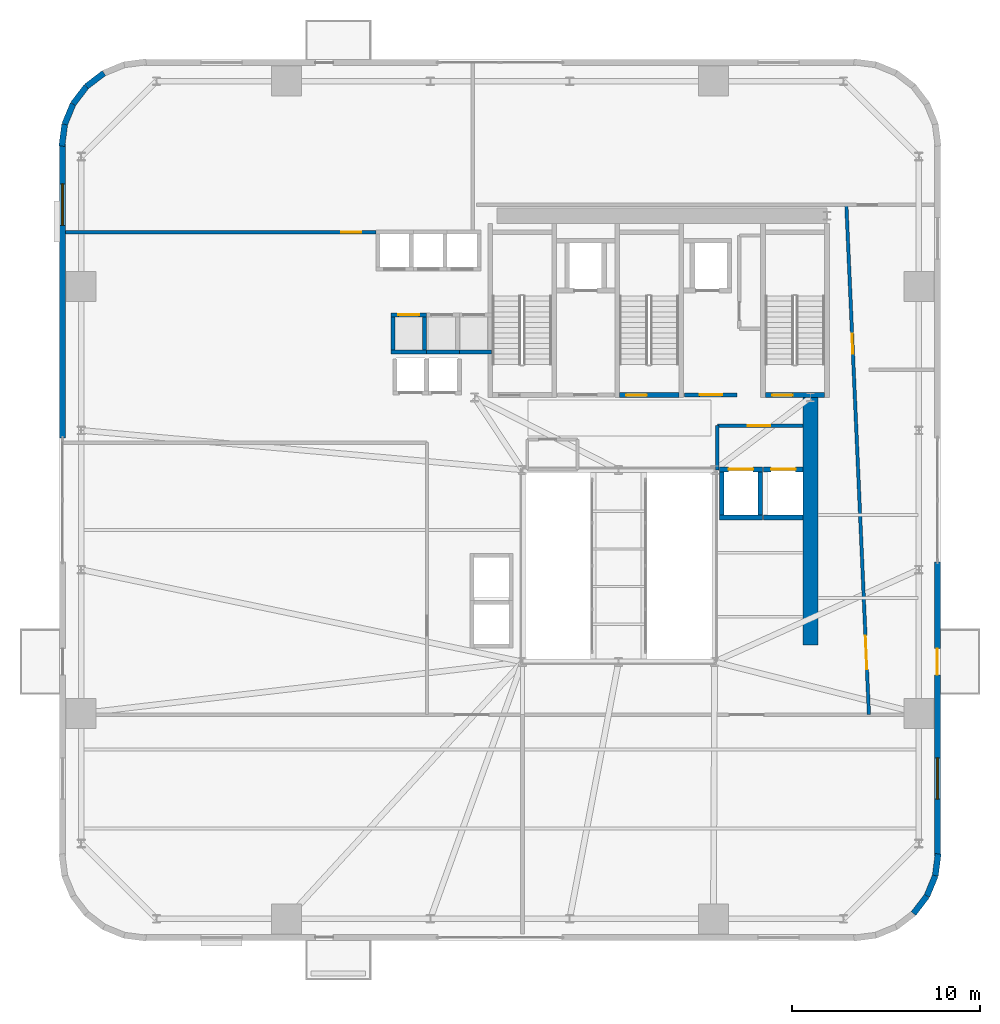
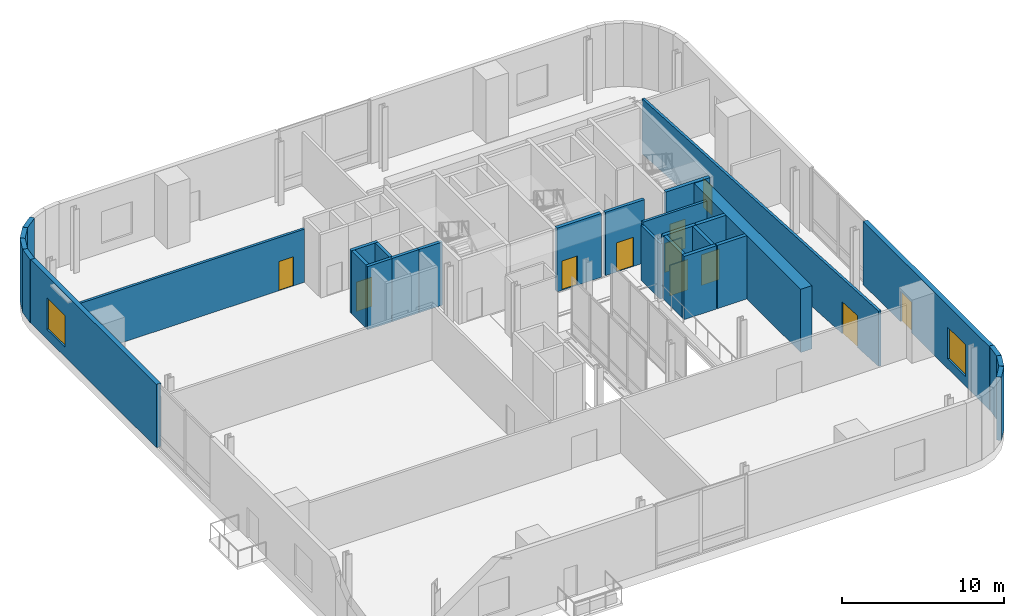
# One storey, part 8 of 13: 29 walls, 11 doors, 2 windows, 13 openings.
"""IFC4 building model written with IfcOpenShell, lengths in metres."""

from ifc_helpers import new_model, si_unit, direction, frame, frame_2d, origin, place, context, subcontext, project, spatial, rectangle, extrude, source, transform, mapped, material, layer, layer_set, type_object, element, fill, save


model = new_model("IFC4")

# Units and contexts
model_context = context("Model", 3, precision=1e-05, world=origin(), true_north=direction((0.0, 1.0)))
body_context = subcontext(model_context, "Body", "Model", "MODEL_VIEW")
ifc_project = project(units=[si_unit("LENGTHUNIT", "METRE"), si_unit("AREAUNIT", "SQUARE_METRE"), si_unit("VOLUMEUNIT", "CUBIC_METRE"), si_unit("PLANEANGLEUNIT", "RADIAN"), si_unit("MASSUNIT", "GRAM", prefix="KILO")], contexts=[model_context])

# Site, building, storey
site_placement = place(None, origin())
site = spatial("IfcSite", under=ifc_project, at=site_placement, CompositionType="ELEMENT")
building_placement = place(site_placement, origin())
building = spatial("IfcBuilding", under=site, at=building_placement, Name="Vardaveli Station Tower", CompositionType="ELEMENT")
storey_placement = place(building_placement, frame((0.0, 0.0, 98.699951171875)))
storey = spatial("IfcBuildingStorey", under=building, at=storey_placement, Name="L25", CompositionType="ELEMENT", Elevation=98.699951171875)

# Wall
ifc_material_1 = material(Name="Concrete C50/60", Category="concrete")
ifc_layer_1 = layer(ifc_material_1, 0.800048828125, Name="Concrete C50/60")
ifc_layer_set_1 = layer_set([ifc_layer_1], Name="Concrete C50/60")
wall_type_1 = type_object("IfcWallType", Name="WAL-CORE-800", PredefinedType="SHEAR", material=ifc_layer_set_1)
shared_shape_1 = source(origin(), body_context, "Body", "SweptSolid", [
    extrude(rectangle(XDim=13.14990234375, YDim=0.800048828125, at=frame_2d((6.574951171875, 0.0))), origin(), (0.0, 0.0, 1.0), 4.760009765625),
])
wall_1_placement = place(storey_placement, frame((46.5, 17.5, 0.0), z_axis=(0.0, 0.0, 1.0), x_axis=(0.0, 1.0, 0.0)))
element("IfcWall", 1, at=wall_1_placement, inside=storey, type_object=wall_type_1, Name="SW-L25-EAST2", PredefinedType="SHEAR", context=body_context, shape_type="MappedRepresentation", body=[
    mapped(shared_shape_1, transform((0.0, 0.0, 0.0), scale=1.0)),
])

# Wall, openings, door, window
ifc_material_2 = material(Name="Precast concrete C45/55", Category="concrete")
ifc_layer_2 = layer(ifc_material_2, 0.320068359375, Name="Precast concrete C45/55")
ifc_layer_set_2 = layer_set([ifc_layer_2], Name="Precast concrete C45/55")
wall_type_2 = type_object("IfcWallType", Name="WAL-EXT-STONE-320", PredefinedType="SOLIDWALL", material=ifc_layer_set_2)
shared_shape_2 = source(origin(), body_context, "Body", "SweptSolid", [
    extrude(rectangle(XDim=15.599853515625, YDim=0.320068359375, at=frame_2d((7.7998046875, 0.0))), origin(), (0.0, 0.0, 1.0), 4.760009765625),
])
wall_2_placement = place(storey_placement, frame((53.239990234375, 6.300048828125, 0.0), z_axis=(0.0, 0.0, 1.0), x_axis=(0.0, 1.0, 0.0)))
wall_2 = element("IfcWall", 2, at=wall_2_placement, inside=storey, type_object=wall_type_2, Name="EW-L25-E1", PredefinedType="SOLIDWALL", context=body_context, shape_type="MappedRepresentation", body=[
    mapped(shared_shape_2, transform((0.0, 0.0, 0.0), scale=1.0)),
])
shared_shape_3 = source(origin(), body_context, "Body", "SweptSolid", [
    extrude(rectangle(XDim=1.39990234375, YDim=2.300048828125, at=frame_2d((0.699951171875, 1.14990234375))), frame((0.0, 0.169921875, 0.0), z_axis=(0.0, -1.0, 0.0), x_axis=(1.0, 0.0, 0.0)), (0.0, 0.0, 1.0), 0.340087890625),
])
opening_1_placement = place(wall_2_placement, frame((9.6103515625, 0.0, 0.0)))
opening_1 = element("IfcOpeningElement", 3, at=opening_1_placement, cuts=wall_2, Name="Opening D-09", PredefinedType="OPENING", context=body_context, shape_type="MappedRepresentation", body=[
    mapped(shared_shape_3, transform((0.0, 0.0, 0.0), scale=1.0)),
])
shared_shape_4 = source(origin(), body_context, "Body", "SweptSolid", [
    extrude(rectangle(XDim=2.199951171875, YDim=2.39990234375, at=frame_2d((1.10009765625, 1.199951171875))), frame((0.0, 0.169921875, 0.0), z_axis=(0.0, -1.0, 0.0), x_axis=(1.0, 0.0, 0.0)), (0.0, 0.0, 1.0), 0.340087890625),
])
opening_2_placement = place(wall_2_placement, frame((3.0048828125, 0.0, 0.719970703125)))
opening_2 = element("IfcOpeningElement", 4, at=opening_2_placement, cuts=wall_2, Name="Opening W-03", PredefinedType="OPENING", context=body_context, shape_type="MappedRepresentation", body=[
    mapped(shared_shape_4, transform((0.0, 0.0, 0.0), scale=1.0)),
])
ifc_material_3 = material(Name="Thermally broken aluminium glass", Category="aluminium")
door_type_1 = type_object("IfcDoorType", Name="DR-LOG-1400x2300", OperationType="DOUBLE_DOOR_SLIDING", PredefinedType="DOOR", material=ifc_material_3)
shared_shape_5 = source(origin(), body_context, "Body", "SweptSolid", [
    extrude(rectangle(XDim=1.39990234375, YDim=2.300048828125, at=frame_2d((0.699951171875, 1.14990234375))), frame((0.0, 0.02490234375, 0.0), z_axis=(0.0, -1.0, 0.0), x_axis=(1.0, 0.0, 0.0)), (0.0, 0.0, 1.0), 0.050048828125),
])
door_1_placement = place(opening_1_placement, frame((1.39990234375, 0.0, 0.0), z_axis=(0.0, 0.0, 1.0), x_axis=(-1.0, 0.0, 0.0)))
door_1 = element("IfcDoor", 5, at=door_1_placement, inside=storey, type_object=door_type_1, Name="DLG-L25-E", OperationType="DOUBLE_DOOR_SLIDING", OverallHeight=2.300048828125, OverallWidth=1.39990234375, PredefinedType="DOOR", context=body_context, shape_type="MappedRepresentation", body=[
    mapped(shared_shape_5, transform((0.0, 0.0, 0.0), scale=1.0)),
])
fill(opening_1, door_1)
ifc_material_4 = material(Name="Low-E solar-control glass", Category="glass")
window_type = type_object("IfcWindowType", Name="WIN-LOG-2200x2400", PartitioningType="SINGLE_PANEL", PredefinedType="WINDOW", material=ifc_material_4)
shared_shape_6 = source(origin(), body_context, "Body", "SweptSolid", [
    extrude(rectangle(XDim=2.199951171875, YDim=2.39990234375, at=frame_2d((1.10009765625, 1.199951171875))), frame((0.0, 0.030029296875, 0.0), z_axis=(0.0, -1.0, 0.0), x_axis=(1.0, 0.0, 0.0)), (0.0, 0.0, 1.0), 0.06005859375),
])
window_1_placement = place(opening_2_placement, origin())
window_1 = element("IfcWindow", 6, at=window_1_placement, inside=storey, type_object=window_type, Name="WN-L25-E1", OverallHeight=2.39990234375, OverallWidth=2.199951171875, PartitioningType="SINGLE_PANEL", PredefinedType="WINDOW", context=body_context, shape_type="MappedRepresentation", body=[
    mapped(shared_shape_6, transform((0.0, 0.0, 0.0), scale=1.0)),
])
fill(opening_2, window_1)

# Wall, opening, window
shared_shape_7 = source(origin(), body_context, "Body", "SweptSolid", [
    extrude(rectangle(XDim=15.60009765625, YDim=0.320068359375, at=frame_2d((7.800048828125, 0.0))), origin(), (0.0, 0.0, 1.0), 4.760009765625),
])
wall_3_placement = place(storey_placement, frame((6.760009765625, 44.10009765625, 0.0), z_axis=(0.0, 0.0, 1.0), x_axis=(0.0, -1.0, 0.0)))
wall_3 = element("IfcWall", 7, at=wall_3_placement, inside=storey, type_object=wall_type_2, Name="EW-L25-W1", PredefinedType="SOLIDWALL", context=body_context, shape_type="MappedRepresentation", body=[
    mapped(shared_shape_7, transform((0.0, 0.0, 0.0), scale=1.0)),
])
opening_3_placement = place(wall_3_placement, frame((2.10498046875, 0.0, 0.719970703125)))
opening_3 = element("IfcOpeningElement", 8, at=opening_3_placement, cuts=wall_3, Name="Opening W-03", PredefinedType="OPENING", context=body_context, shape_type="MappedRepresentation", body=[
    mapped(shared_shape_4, transform((0.0, 0.0, 0.0), scale=1.0)),
])
window_2_placement = place(opening_3_placement, origin())
window_2 = element("IfcWindow", 9, at=window_2_placement, inside=storey, type_object=window_type, Name="WN-L25-W1", OverallHeight=2.39990234375, OverallWidth=2.199951171875, PartitioningType="SINGLE_PANEL", PredefinedType="WINDOW", context=body_context, shape_type="MappedRepresentation", body=[
    mapped(shared_shape_6, transform((0.0, 0.0, 0.0), scale=1.0)),
])
fill(opening_3, window_2)

# Walls
shared_shape_8 = source(origin(), body_context, "Body", "SweptSolid", [
    extrude(rectangle(XDim=1.170654296875, YDim=0.320068359375, at=frame_2d((0.58544921875, 0.0))), origin(), (0.0, 0.0, 1.0), 4.760009765625),
])
wall_4_placement = place(storey_placement, frame((53.12548828125, 5.23974609375, 0.0), z_axis=(0.0, 0.0, 1.0), x_axis=(0.128269133229, 0.991739395941, 0.0)))
element("IfcWall", 10, at=wall_4_placement, inside=storey, type_object=wall_type_2, Name="EW-L25-CR2-6", PredefinedType="SOLIDWALL", context=body_context, shape_type="MappedRepresentation", body=[
    mapped(shared_shape_8, transform((0.0, 0.0, 0.0), scale=1.0)),
])
shared_shape_9 = source(origin(), body_context, "Body", "SweptSolid", [
    extrude(rectangle(XDim=1.1689453125, YDim=0.320068359375, at=frame_2d((0.58447265625, 0.0))), origin(), (0.0, 0.0, 1.0), 4.760009765625),
])
for number, where, z_axis, x_axis, name in (
    (11, (51.96875, 3.231201171875, 0.0), (0.0, 0.0, 1.0), (0.608387696831, 0.793639975269, 0.0), "EW-L25-CR2-4"),
    (12, (52.679931640625, 4.158935546875, 0.0), (0.0, 0.0, 1.0), (0.381127904695, 0.924522320046, 0.0), "EW-L25-CR2-5"),
    (13, (8.03125, 47.1689453125, 0.0), (0.0, 0.0, 1.0), (-0.608387696831, -0.793639975269, 0.0), "EW-L25-CR4-4"),
):
    element("IfcWall", number, at=place(storey_placement, frame(where, z_axis=z_axis, x_axis=x_axis)), inside=storey, type_object=wall_type_2, Name=name, PredefinedType="SOLIDWALL", context=body_context, shape_type="MappedRepresentation", body=[
        mapped(shared_shape_9, transform((0.0, 0.0, 0.0), scale=1.0)),
    ])
shared_shape_10 = source(origin(), body_context, "Body", "SweptSolid", [
    extrude(rectangle(XDim=1.168701171875, YDim=0.320068359375, at=frame_2d((0.58447265625, 0.0))), origin(), (0.0, 0.0, 1.0), 4.760009765625),
])
wall_5_placement = place(storey_placement, frame((8.958740234375, 47.8798828125, 0.0), z_axis=(0.0, 0.0, 1.0), x_axis=(-0.793663520347, -0.608356981114, 0.0)))
element("IfcWall", 14, at=wall_5_placement, inside=storey, type_object=wall_type_2, Name="EW-L25-CR4-3", PredefinedType="SOLIDWALL", context=body_context, shape_type="MappedRepresentation", body=[
    mapped(shared_shape_10, transform((0.0, 0.0, 0.0), scale=1.0)),
])
shared_shape_11 = source(origin(), body_context, "Body", "SweptSolid", [
    extrude(rectangle(XDim=1.17041015625, YDim=0.320068359375, at=frame_2d((0.585205078125, 0.0))), origin(), (0.0, 0.0, 1.0), 4.760009765625),
])
wall_6_placement = place(storey_placement, frame((6.87451171875, 45.16015625, 0.0), z_axis=(0.0, 0.0, 1.0), x_axis=(-0.128295670475, -0.991735963317, 0.0)))
element("IfcWall", 15, at=wall_6_placement, inside=storey, type_object=wall_type_2, Name="EW-L25-CR4-6", PredefinedType="SOLIDWALL", context=body_context, shape_type="MappedRepresentation", body=[
    mapped(shared_shape_11, transform((0.0, 0.0, 0.0), scale=1.0)),
])
shared_shape_12 = source(origin(), body_context, "Body", "SweptSolid", [
    extrude(rectangle(XDim=1.169189453125, YDim=0.320068359375, at=frame_2d((0.58447265625, 0.0))), origin(), (0.0, 0.0, 1.0), 4.760009765625),
])
wall_7_placement = place(storey_placement, frame((7.320068359375, 46.2412109375, 0.0), z_axis=(0.0, 0.0, 1.0), x_axis=(-0.381054331552, -0.924552646638, 0.0)))
element("IfcWall", 16, at=wall_7_placement, inside=storey, type_object=wall_type_2, Name="EW-L25-CR4-5", PredefinedType="SOLIDWALL", context=body_context, shape_type="MappedRepresentation", body=[
    mapped(shared_shape_12, transform((0.0, 0.0, 0.0), scale=1.0)),
])

# Wall, opening, door
ifc_material_5 = material(Name="Concrete C40/50", Category="concrete")
ifc_layer_3 = layer(ifc_material_5, 0.25, Name="Concrete C40/50")
ifc_layer_set_3 = layer_set([ifc_layer_3], Name="Concrete C40/50")
wall_type_3 = type_object("IfcWallType", Name="WAL-SHAFT-250", PredefinedType="SOLIDWALL", material=ifc_layer_set_3)
shared_shape_13 = source(origin(), body_context, "Body", "SweptSolid", [
    extrude(rectangle(XDim=3.14990234375, YDim=0.25, at=frame_2d((1.574951171875, 0.0))), origin(), (0.0, 0.0, 1.0), 4.800048828125),
])
wall_8_placement = place(storey_placement, frame((36.35009765625, 30.77490234375, 0.0), z_axis=(0.0, 0.0, 1.0), x_axis=(1.0, 0.0, 0.0)))
wall_8 = element("IfcWall", 17, at=wall_8_placement, inside=storey, type_object=wall_type_3, Name="W-L25-ST-2S", PredefinedType="SOLIDWALL", context=body_context, shape_type="MappedRepresentation", body=[
    mapped(shared_shape_13, transform((0.0, 0.0, 0.0), scale=1.0)),
])
shared_shape_14 = source(origin(), body_context, "Body", "SweptSolid", [
    extrude(rectangle(XDim=1.10009765625, YDim=2.199951171875, at=frame_2d((0.550048828125, 1.10009765625))), frame((0.0, 0.135009765625, 0.0), z_axis=(0.0, -1.0, 0.0), x_axis=(1.0, 0.0, 0.0)), (0.0, 0.0, 1.0), 0.27001953125),
])
opening_4_placement = place(wall_8_placement, frame((0.35009765625, 0.0, 0.0)))
opening_4 = element("IfcOpeningElement", 18, at=opening_4_placement, cuts=wall_8, Name="Opening D-04", PredefinedType="OPENING", context=body_context, shape_type="MappedRepresentation", body=[
    mapped(shared_shape_14, transform((0.0, 0.0, 0.0), scale=1.0)),
])
ifc_material_6 = material(Name="Steel smokeproof fire doorset", Category="steel")
door_type_2 = type_object("IfcDoorType", Name="DR-ST-1100x2200", OperationType="NOTDEFINED", PredefinedType="DOOR", material=ifc_material_6)
shared_shape_15 = source(origin(), body_context, "Body", "SweptSolid", [
    extrude(rectangle(XDim=1.10009765625, YDim=2.199951171875, at=frame_2d((0.550048828125, 1.10009765625))), frame((0.0, 0.02490234375, 0.0), z_axis=(0.0, -1.0, 0.0), x_axis=(1.0, 0.0, 0.0)), (0.0, 0.0, 1.0), 0.050048828125),
])
door_2_placement = place(opening_4_placement, origin())
door_2 = element("IfcDoor", 19, at=door_2_placement, inside=storey, type_object=door_type_2, Name="DST-2-L25", OperationType="SINGLE_SWING_LEFT", OverallHeight=2.199951171875, OverallWidth=1.10009765625, PredefinedType="DOOR", context=body_context, shape_type="MappedRepresentation", body=[
    mapped(shared_shape_15, transform((0.0, 0.0, 0.0), scale=1.0)),
])
fill(opening_4, door_2)

wall_9_placement = place(storey_placement, frame((44.10009765625, 30.77490234375, 0.0), z_axis=(0.0, 0.0, 1.0), x_axis=(1.0, 0.0, 0.0)))
wall_9 = element("IfcWall", 20, at=wall_9_placement, inside=storey, type_object=wall_type_3, Name="W-L25-ST-3S", PredefinedType="SOLIDWALL", context=body_context, shape_type="MappedRepresentation", body=[
    mapped(shared_shape_13, transform((0.0, 0.0, 0.0), scale=1.0)),
])
opening_5_placement = place(wall_9_placement, frame((0.35009765625, 0.0, 0.0)))
opening_5 = element("IfcOpeningElement", 21, at=opening_5_placement, cuts=wall_9, Name="Opening D-04", PredefinedType="OPENING", context=body_context, shape_type="MappedRepresentation", body=[
    mapped(shared_shape_14, transform((0.0, 0.0, 0.0), scale=1.0)),
])
door_3_placement = place(opening_5_placement, origin())
door_3 = element("IfcDoor", 22, at=door_3_placement, inside=storey, type_object=door_type_2, Name="DST-3-L25", OperationType="SINGLE_SWING_LEFT", OverallHeight=2.199951171875, OverallWidth=1.10009765625, PredefinedType="DOOR", context=body_context, shape_type="MappedRepresentation", body=[
    mapped(shared_shape_15, transform((0.0, 0.0, 0.0), scale=1.0)),
])
fill(opening_5, door_3)

ifc_layer_4 = layer(ifc_material_5, 0.219970703125, Name="Concrete C40/50")
ifc_layer_set_4 = layer_set([ifc_layer_4], Name="Concrete C40/50")
wall_type_4 = type_object("IfcWallType", Name="WAL-FFLOBBY-220", PredefinedType="SOLIDWALL", material=ifc_layer_set_4)
shared_shape_16 = source(origin(), body_context, "Body", "SweptSolid", [
    extrude(rectangle(XDim=2.800048828125, YDim=0.219970703125, at=frame_2d((1.39990234375, 0.0))), origin(), (0.0, 0.0, 1.0), 4.760009765625),
])
wall_10_placement = place(storey_placement, frame((39.800048828125, 30.780029296875, 0.0), z_axis=(0.0, 0.0, 1.0), x_axis=(1.0, 0.0, 0.0)))
wall_10 = element("IfcWall", 23, at=wall_10_placement, inside=storey, type_object=wall_type_4, Name="W-L25-FFL2S", PredefinedType="SOLIDWALL", context=body_context, shape_type="MappedRepresentation", body=[
    mapped(shared_shape_16, transform((0.0, 0.0, 0.0), scale=1.0)),
])
shared_shape_17 = source(origin(), body_context, "Body", "SweptSolid", [
    extrude(rectangle(XDim=1.199951171875, YDim=2.199951171875, at=frame_2d((0.60009765625, 1.10009765625))), frame((0.0, 0.1201171875, 0.0), z_axis=(0.0, -1.0, 0.0), x_axis=(1.0, 0.0, 0.0)), (0.0, 0.0, 1.0), 0.239990234375),
])
opening_6_placement = place(wall_10_placement, frame((0.800048828125, 0.0, 0.0)))
opening_6 = element("IfcOpeningElement", 24, at=opening_6_placement, cuts=wall_10, Name="Opening D-03", PredefinedType="OPENING", context=body_context, shape_type="MappedRepresentation", body=[
    mapped(shared_shape_17, transform((0.0, 0.0, 0.0), scale=1.0)),
])
door_type_3 = type_object("IfcDoorType", Name="DR-FFL-1200x2200", OperationType="NOTDEFINED", PredefinedType="DOOR", material=ifc_material_6)
shared_shape_18 = source(origin(), body_context, "Body", "SweptSolid", [
    extrude(rectangle(XDim=1.199951171875, YDim=2.199951171875, at=frame_2d((0.60009765625, 1.10009765625))), frame((0.0, 0.02490234375, 0.0), z_axis=(0.0, -1.0, 0.0), x_axis=(1.0, 0.0, 0.0)), (0.0, 0.0, 1.0), 0.050048828125),
])
door_4_placement = place(opening_6_placement, origin())
door_4 = element("IfcDoor", 25, at=door_4_placement, inside=storey, type_object=door_type_3, Name="DFFL2-L25", OperationType="SINGLE_SWING_RIGHT", OverallHeight=2.199951171875, OverallWidth=1.199951171875, PredefinedType="DOOR", context=body_context, shape_type="MappedRepresentation", body=[
    mapped(shared_shape_18, transform((0.0, 0.0, 0.0), scale=1.0)),
])
fill(opening_6, door_4)

# Walls
shared_shape_19 = source(origin(), body_context, "Body", "SweptSolid", [
    extrude(rectangle(XDim=1.75, YDim=0.219970703125, at=frame_2d((0.875, 0.0))), origin(), (0.0, 0.0, 1.0), 4.760009765625),
])
for number, where, z_axis, x_axis, name in (
    (26, (24.31494140625, 33.175048828125, 0.0), (0.0, 0.0, 1.0), (0.0, 1.0, 0.0), "SHW-HL2-01-L25-W"),
    (27, (25.985107421875, 33.175048828125, 0.0), (0.0, 0.0, 1.0), (0.0, 1.0, 0.0), "SHW-HL2-01-L25-E"),
):
    element("IfcWall", number, at=place(storey_placement, frame(where, z_axis=z_axis, x_axis=x_axis)), inside=storey, type_object=wall_type_4, Name=name, PredefinedType="SOLIDWALL", context=body_context, shape_type="MappedRepresentation", body=[
        mapped(shared_shape_19, transform((0.0, 0.0, 0.0), scale=1.0)),
    ])
shared_shape_20 = source(origin(), body_context, "Body", "SweptSolid", [
    extrude(rectangle(XDim=1.889892578125, YDim=0.219970703125, at=frame_2d((0.94482421875, 0.0))), origin(), (0.0, 0.0, 1.0), 4.760009765625),
])
wall_11_placement = place(storey_placement, frame((24.205078125, 33.06494140625, 0.0), z_axis=(0.0, 0.0, 1.0), x_axis=(1.0, 0.0, 0.0)))
element("IfcWall", 28, at=wall_11_placement, inside=storey, type_object=wall_type_4, Name="SHW-HL2-01-L25-S", PredefinedType="SOLIDWALL", context=body_context, shape_type="MappedRepresentation", body=[
    mapped(shared_shape_20, transform((0.0, 0.0, 0.0), scale=1.0)),
])

# Wall, opening, door
wall_12_placement = place(storey_placement, frame((24.205078125, 35.034912109375, 0.0), z_axis=(0.0, 0.0, 1.0), x_axis=(1.0, 0.0, 0.0)))
wall_12 = element("IfcWall", 29, at=wall_12_placement, inside=storey, type_object=wall_type_4, Name="SHW-HL2-01-L25-N", PredefinedType="SOLIDWALL", context=body_context, shape_type="MappedRepresentation", body=[
    mapped(shared_shape_20, transform((0.0, 0.0, 0.0), scale=1.0)),
])
shared_shape_21 = source(origin(), body_context, "Body", "SweptSolid", [
    extrude(rectangle(XDim=1.10009765625, YDim=2.199951171875, at=frame_2d((0.550048828125, 1.10009765625))), frame((0.0, 0.1201171875, 0.0), z_axis=(0.0, -1.0, 0.0), x_axis=(1.0, 0.0, 0.0)), (0.0, 0.0, 1.0), 0.239990234375),
])
opening_7_placement = place(wall_12_placement, frame((0.39501953125, 0.0, 0.0)))
opening_7 = element("IfcOpeningElement", 30, at=opening_7_placement, cuts=wall_12, Name="Opening LD-01", PredefinedType="OPENING", context=body_context, shape_type="MappedRepresentation", body=[
    mapped(shared_shape_21, transform((0.0, 0.0, 0.0), scale=1.0)),
])
ifc_material_7 = material(Name="Brushed stainless steel", Category="steel")
door_type_4 = type_object("IfcDoorType", Name="DR-LD-1100x2200", OperationType="DOUBLE_DOOR_SLIDING", PredefinedType="DOOR", material=ifc_material_7)
door_5_placement = place(opening_7_placement, origin())
door_5 = element("IfcDoor", 31, at=door_5_placement, inside=storey, type_object=door_type_4, Name="LD-HL2-01-L25", OperationType="DOUBLE_DOOR_SLIDING", OverallHeight=2.199951171875, OverallWidth=1.10009765625, PredefinedType="DOOR", context=body_context, shape_type="MappedRepresentation", body=[
    mapped(shared_shape_15, transform((0.0, 0.0, 0.0), scale=1.0)),
])
fill(opening_7, door_5)

# Walls
for number, where, z_axis, x_axis, name in (
    (32, (25.955078125, 33.06494140625, 0.0), (0.0, 0.0, 1.0), (1.0, 0.0, 0.0), "SHW-HL2-02-L25-S"),
    (33, (27.655029296875, 33.06494140625, 0.0), (0.0, 0.0, 1.0), (1.0, 0.0, 0.0), "SHW-HL2-03-L25-S"),
):
    element("IfcWall", number, at=place(storey_placement, frame(where, z_axis=z_axis, x_axis=x_axis)), inside=storey, type_object=wall_type_4, Name=name, PredefinedType="SOLIDWALL", context=body_context, shape_type="MappedRepresentation", body=[
        mapped(shared_shape_20, transform((0.0, 0.0, 0.0), scale=1.0)),
    ])
shared_shape_22 = source(origin(), body_context, "Body", "SweptSolid", [
    extrude(rectangle(XDim=2.300048828125, YDim=0.25, at=frame_2d((1.14990234375, 0.0))), origin(), (0.0, 0.0, 1.0), 4.760009765625),
])
wall_13_placement = place(storey_placement, frame((41.64990234375, 24.27490234375, 0.0), z_axis=(0.0, 0.0, 1.0), x_axis=(1.0, 0.0, 0.0)))
element("IfcWall", 34, at=wall_13_placement, inside=storey, type_object=wall_type_3, Name="SHW-SRV-01-L25-S", PredefinedType="SOLIDWALL", context=body_context, shape_type="MappedRepresentation", body=[
    mapped(shared_shape_22, transform((0.0, 0.0, 0.0), scale=1.0)),
])

# Wall, opening, door
wall_14_placement = place(storey_placement, frame((41.64990234375, 26.824951171875, 0.0), z_axis=(0.0, 0.0, 1.0), x_axis=(1.0, 0.0, 0.0)))
wall_14 = element("IfcWall", 35, at=wall_14_placement, inside=storey, type_object=wall_type_3, Name="SHW-SRV-01-L25-N", PredefinedType="SOLIDWALL", context=body_context, shape_type="MappedRepresentation", body=[
    mapped(shared_shape_22, transform((0.0, 0.0, 0.0), scale=1.0)),
])
shared_shape_23 = source(origin(), body_context, "Body", "SweptSolid", [
    extrude(rectangle(XDim=1.300048828125, YDim=2.300048828125, at=frame_2d((0.64990234375, 1.14990234375))), frame((0.0, 0.135009765625, 0.0), z_axis=(0.0, -1.0, 0.0), x_axis=(1.0, 0.0, 0.0)), (0.0, 0.0, 1.0), 0.27001953125),
])
opening_8_placement = place(wall_14_placement, frame((0.5, 0.0, 0.0)))
opening_8 = element("IfcOpeningElement", 36, at=opening_8_placement, cuts=wall_14, Name="Opening LD-03", PredefinedType="OPENING", context=body_context, shape_type="MappedRepresentation", body=[
    mapped(shared_shape_23, transform((0.0, 0.0, 0.0), scale=1.0)),
])
door_type_5 = type_object("IfcDoorType", Name="DR-LD-1300x2300", OperationType="DOUBLE_DOOR_SLIDING", PredefinedType="DOOR", material=ifc_material_7)
shared_shape_24 = source(origin(), body_context, "Body", "SweptSolid", [
    extrude(rectangle(XDim=1.300048828125, YDim=2.300048828125, at=frame_2d((0.64990234375, 1.14990234375))), frame((0.0, 0.02490234375, 0.0), z_axis=(0.0, -1.0, 0.0), x_axis=(1.0, 0.0, 0.0)), (0.0, 0.0, 1.0), 0.050048828125),
])
door_6_placement = place(opening_8_placement, origin())
door_6 = element("IfcDoor", 37, at=door_6_placement, inside=storey, type_object=door_type_5, Name="LD-SRV-01-L25", OperationType="DOUBLE_DOOR_SLIDING", OverallHeight=2.300048828125, OverallWidth=1.300048828125, PredefinedType="DOOR", context=body_context, shape_type="MappedRepresentation", body=[
    mapped(shared_shape_24, transform((0.0, 0.0, 0.0), scale=1.0)),
])
fill(opening_8, door_6)

# Walls
for number, where, z_axis, x_axis, name in (
    (38, (41.77490234375, 24.39990234375, 0.0), (0.0, 0.0, 1.0), (0.0, 1.0, 0.0), "SHW-SRV-01-L25-W"),
    (39, (43.824951171875, 24.39990234375, 0.0), (0.0, 0.0, 1.0), (0.0, 1.0, 0.0), "SHW-SRV-01-L25-E"),
):
    element("IfcWall", number, at=place(storey_placement, frame(where, z_axis=z_axis, x_axis=x_axis)), inside=storey, type_object=wall_type_3, Name=name, PredefinedType="SOLIDWALL", context=body_context, shape_type="MappedRepresentation", body=[
        mapped(shared_shape_22, transform((0.0, 0.0, 0.0), scale=1.0)),
    ])
shared_shape_25 = source(origin(), body_context, "Body", "SweptSolid", [
    extrude(rectangle(XDim=2.10009765625, YDim=0.25, at=frame_2d((1.050048828125, 0.0))), origin(), (0.0, 0.0, 1.0), 4.760009765625),
])
wall_15_placement = place(storey_placement, frame((44.0, 24.27490234375, 0.0), z_axis=(0.0, 0.0, 1.0), x_axis=(1.0, 0.0, 0.0)))
element("IfcWall", 40, at=wall_15_placement, inside=storey, type_object=wall_type_3, Name="SHW-SRV-02-L25-S", PredefinedType="SOLIDWALL", context=body_context, shape_type="MappedRepresentation", body=[
    mapped(shared_shape_25, transform((0.0, 0.0, 0.0), scale=1.0)),
])

# Wall, opening, door
wall_16_placement = place(storey_placement, frame((44.0, 26.824951171875, 0.0), z_axis=(0.0, 0.0, 1.0), x_axis=(1.0, 0.0, 0.0)))
wall_16 = element("IfcWall", 41, at=wall_16_placement, inside=storey, type_object=wall_type_3, Name="SHW-SRV-02-L25-N", PredefinedType="SOLIDWALL", context=body_context, shape_type="MappedRepresentation", body=[
    mapped(shared_shape_25, transform((0.0, 0.0, 0.0), scale=1.0)),
])
opening_9_placement = place(wall_16_placement, frame((0.39990234375, 0.0, 0.0)))
opening_9 = element("IfcOpeningElement", 42, at=opening_9_placement, cuts=wall_16, Name="Opening LD-03", PredefinedType="OPENING", context=body_context, shape_type="MappedRepresentation", body=[
    mapped(shared_shape_23, transform((0.0, 0.0, 0.0), scale=1.0)),
])
door_7_placement = place(opening_9_placement, origin())
door_7 = element("IfcDoor", 43, at=door_7_placement, inside=storey, type_object=door_type_5, Name="LD-SRV-02-L25", OperationType="DOUBLE_DOOR_SLIDING", OverallHeight=2.300048828125, OverallWidth=1.300048828125, PredefinedType="DOOR", context=body_context, shape_type="MappedRepresentation", body=[
    mapped(shared_shape_24, transform((0.0, 0.0, 0.0), scale=1.0)),
])
fill(opening_9, door_7)

# Wall, openings, doors
ifc_material_8 = material(Name="Fire-rated gypsum stud partition")
ifc_layer_5 = layer(ifc_material_8, 0.179931640625, Name="Fire-rated gypsum stud partition")
ifc_layer_set_5 = layer_set([ifc_layer_5], Name="Fire-rated gypsum stud partition")
wall_type_5 = type_object("IfcWallType", Name="WAL-CORR-180", PredefinedType="PARTITIONING", material=ifc_layer_set_5)
shared_shape_26 = source(origin(), body_context, "Body", "SweptSolid", [
    extrude(rectangle(XDim=27.1064453125, YDim=0.179931640625, at=frame_2d((13.55322265625, 0.0))), origin(), (0.0, 0.0, 1.0), 4.152099609375),
])
wall_17_placement = place(storey_placement, frame((49.60009765625, 13.800048828125, 0.0), z_axis=(0.0, 0.0, 1.0), x_axis=(-0.044277164483, 0.999019285452, 0.0)))
wall_17 = element("IfcWall", 44, at=wall_17_placement, inside=storey, type_object=wall_type_5, Name="W-L25-VIPE", PredefinedType="PARTITIONING", context=body_context, shape_type="MappedRepresentation", body=[
    mapped(shared_shape_26, transform((0.0, 0.0, 0.0), scale=1.0)),
])
shared_shape_27 = source(origin(), body_context, "Body", "SweptSolid", [
    extrude(rectangle(XDim=1.800048828125, YDim=2.39990234375, at=frame_2d((0.89990234375, 1.199951171875))), frame((0.0, 0.10009765625, 0.0), z_axis=(0.0, -1.0, 0.0), x_axis=(1.0, 0.0, 0.0)), (0.0, 0.0, 1.0), 0.199951171875),
])
opening_10_placement = place(wall_17_placement, frame((2.39990234375, 0.0, 0.0)))
opening_10 = element("IfcOpeningElement", 45, at=opening_10_placement, cuts=wall_17, Name="Opening D-01", PredefinedType="OPENING", context=body_context, shape_type="MappedRepresentation", body=[
    mapped(shared_shape_27, transform((0.0, 0.0, 0.0), scale=1.0)),
])
shared_shape_28 = source(origin(), body_context, "Body", "SweptSolid", [
    extrude(rectangle(XDim=1.050048828125, YDim=2.199951171875, at=frame_2d((0.52490234375, 1.10009765625))), frame((0.0, 0.10009765625, 0.0), z_axis=(0.0, -1.0, 0.0), x_axis=(1.0, 0.0, 0.0)), (0.0, 0.0, 1.0), 0.199951171875),
])
opening_11_placement = place(wall_17_placement, frame((19.199951171875, 0.0, 0.0)))
opening_11 = element("IfcOpeningElement", 46, at=opening_11_placement, cuts=wall_17, Name="Opening D-05", PredefinedType="OPENING", context=body_context, shape_type="MappedRepresentation", body=[
    mapped(shared_shape_28, transform((0.0, 0.0, 0.0), scale=1.0)),
])
ifc_material_9 = material(Name="Acoustic hardwood fire doorset", Category="wood")
door_type_6 = type_object("IfcDoorType", Name="DR-BALL-1800x2400", OperationType="DOUBLE_DOOR_SINGLE_SWING", PredefinedType="DOOR", material=ifc_material_9)
shared_shape_29 = source(origin(), body_context, "Body", "SweptSolid", [
    extrude(rectangle(XDim=1.800048828125, YDim=2.39990234375, at=frame_2d((0.89990234375, 1.199951171875))), frame((0.0, 0.02490234375, 0.0), z_axis=(0.0, -1.0, 0.0), x_axis=(1.0, 0.0, 0.0)), (0.0, 0.0, 1.0), 0.050048828125),
])
door_8_placement = place(opening_10_placement, origin())
door_8 = element("IfcDoor", 47, at=door_8_placement, inside=storey, type_object=door_type_6, Name="D-L25-VIP", OperationType="DOUBLE_DOOR_SINGLE_SWING", OverallHeight=2.39990234375, OverallWidth=1.800048828125, PredefinedType="DOOR", context=body_context, shape_type="MappedRepresentation", body=[
    mapped(shared_shape_29, transform((0.0, 0.0, 0.0), scale=1.0)),
])
fill(opening_10, door_8)
ifc_material_10 = material(Name="Walnut veneer acoustic fire door")
door_type_7 = type_object("IfcDoorType", Name="DR-SUITE-1050x2200", OperationType="NOTDEFINED", PredefinedType="DOOR", material=ifc_material_10)
shared_shape_30 = source(origin(), body_context, "Body", "SweptSolid", [
    extrude(rectangle(XDim=1.050048828125, YDim=2.199951171875, at=frame_2d((0.52490234375, 1.10009765625))), frame((0.0, 0.02490234375, 0.0), z_axis=(0.0, -1.0, 0.0), x_axis=(1.0, 0.0, 0.0)), (0.0, 0.0, 1.0), 0.050048828125),
])
door_9_placement = place(opening_11_placement, origin())
door_9 = element("IfcDoor", 48, at=door_9_placement, inside=storey, type_object=door_type_7, Name="D-L25-NWG", OperationType="SINGLE_SWING_LEFT", OverallHeight=2.199951171875, OverallWidth=1.050048828125, PredefinedType="DOOR", context=body_context, shape_type="MappedRepresentation", body=[
    mapped(shared_shape_30, transform((0.0, 0.0, 0.0), scale=1.0)),
])
fill(opening_11, door_9)

# Wall, opening, door
shared_shape_31 = source(origin(), body_context, "Body", "SweptSolid", [
    extrude(rectangle(XDim=16.48291015625, YDim=0.179931640625, at=frame_2d((8.241455078125, 0.0))), origin(), (0.0, 0.0, 1.0), 4.001953125),
])
wall_18_placement = place(storey_placement, frame((6.922119140625, 39.419921875, 0.0), z_axis=(0.0, 0.0, 1.0), x_axis=(1.0, 0.0, 0.0)))
wall_18 = element("IfcWall", 49, at=wall_18_placement, inside=storey, type_object=wall_type_5, Name="W-L25-NWC-S", PredefinedType="PARTITIONING", context=body_context, shape_type="MappedRepresentation", body=[
    mapped(shared_shape_31, transform((0.0, 0.0, 0.0), scale=1.0)),
])
opening_12_placement = place(wall_18_placement, frame((14.64794921875, 0.0, 0.0)))
opening_12 = element("IfcOpeningElement", 50, at=opening_12_placement, cuts=wall_18, Name="Opening D-05", PredefinedType="OPENING", context=body_context, shape_type="MappedRepresentation", body=[
    mapped(shared_shape_28, transform((0.0, 0.0, 0.0), scale=1.0)),
])
door_10_placement = place(opening_12_placement, origin())
door_10 = element("IfcDoor", 51, at=door_10_placement, inside=storey, type_object=door_type_7, Name="D-L25-NWC", OperationType="SINGLE_SWING_LEFT", OverallHeight=2.199951171875, OverallWidth=1.050048828125, PredefinedType="DOOR", context=body_context, shape_type="MappedRepresentation", body=[
    mapped(shared_shape_30, transform((0.0, 0.0, 0.0), scale=1.0)),
])
fill(opening_12, door_10)

shared_shape_32 = source(origin(), body_context, "Body", "SweptSolid", [
    extrude(rectangle(XDim=4.5478515625, YDim=0.179931640625, at=frame_2d((2.27392578125, 0.0))), origin(), (0.0, 0.0, 1.0), 4.39208984375),
])
wall_19_placement = place(storey_placement, frame((41.550048828125, 29.14990234375, 0.0), z_axis=(0.0, 0.0, 1.0), x_axis=(1.0, 0.0, 0.0)))
wall_19 = element("IfcWall", 52, at=wall_19_placement, inside=storey, type_object=wall_type_5, Name="W-L25-SVFN", PredefinedType="PARTITIONING", context=body_context, shape_type="MappedRepresentation", body=[
    mapped(shared_shape_32, transform((0.0, 0.0, 0.0), scale=1.0)),
])
shared_shape_33 = source(origin(), body_context, "Body", "SweptSolid", [
    extrude(rectangle(XDim=1.199951171875, YDim=2.199951171875, at=frame_2d((0.60009765625, 1.10009765625))), frame((0.0, 0.10009765625, 0.0), z_axis=(0.0, -1.0, 0.0), x_axis=(1.0, 0.0, 0.0)), (0.0, 0.0, 1.0), 0.199951171875),
])
opening_13_placement = place(wall_19_placement, frame((1.60009765625, 0.0, 0.0)))
opening_13 = element("IfcOpeningElement", 53, at=opening_13_placement, cuts=wall_19, Name="Opening D-03", PredefinedType="OPENING", context=body_context, shape_type="MappedRepresentation", body=[
    mapped(shared_shape_33, transform((0.0, 0.0, 0.0), scale=1.0)),
])
door_11_placement = place(opening_13_placement, origin())
door_11 = element("IfcDoor", 54, at=door_11_placement, inside=storey, type_object=door_type_3, Name="D-L25-SVF", OperationType="SINGLE_SWING_RIGHT", OverallHeight=2.199951171875, OverallWidth=1.199951171875, PredefinedType="DOOR", context=body_context, shape_type="MappedRepresentation", body=[
    mapped(shared_shape_18, transform((0.0, 0.0, 0.0), scale=1.0)),
])
fill(opening_13, door_11)

# Wall
shared_shape_34 = source(origin(), body_context, "Body", "SweptSolid", [
    extrude(rectangle(XDim=2.349853515625, YDim=0.179931640625, at=frame_2d((1.1748046875, 0.0))), origin(), (0.0, 0.0, 1.0), 4.152099609375),
])
wall_20_placement = place(storey_placement, frame((41.550048828125, 26.800048828125, 0.0), z_axis=(0.0, 0.0, 1.0), x_axis=(0.0, 1.0, 0.0)))
element("IfcWall", 55, at=wall_20_placement, inside=storey, type_object=wall_type_5, Name="W-L25-SVFW", PredefinedType="PARTITIONING", context=body_context, shape_type="MappedRepresentation", body=[
    mapped(shared_shape_34, transform((0.0, 0.0, 0.0), scale=1.0)),
])

save(model, "model.ifc")
